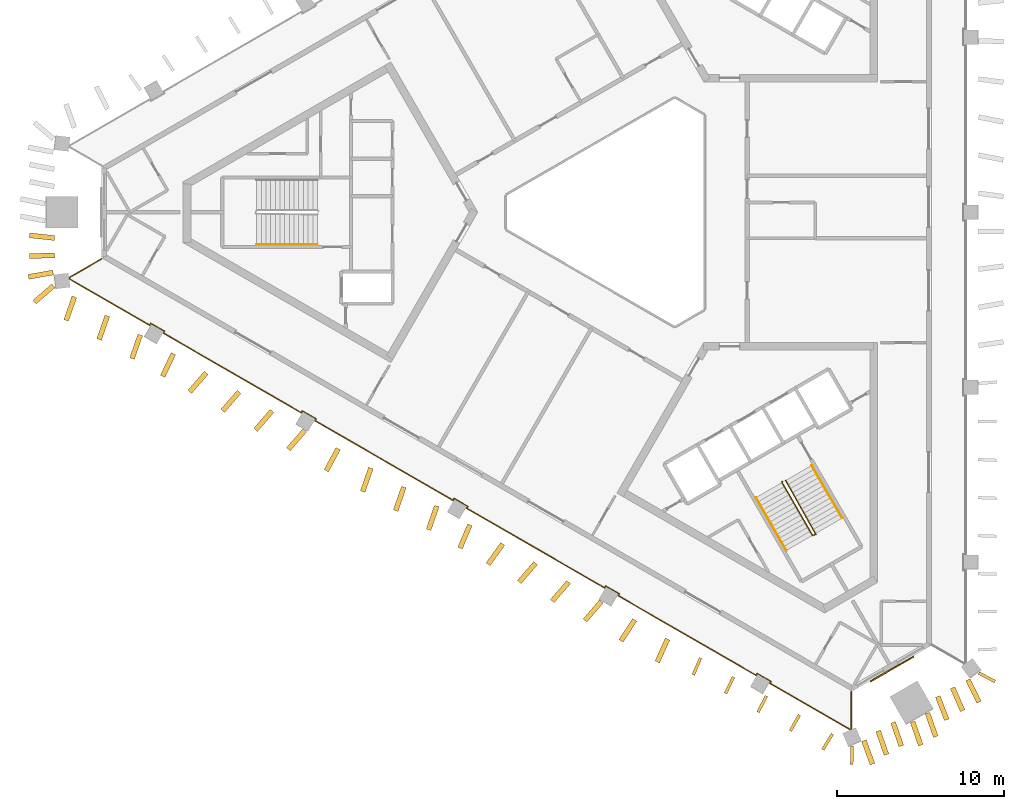
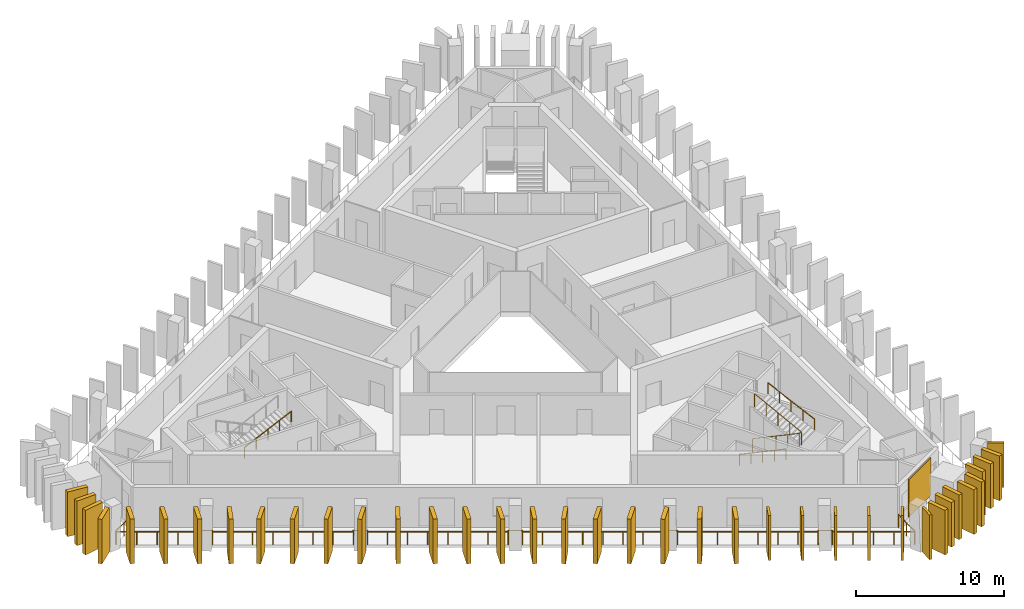
# One storey, part 7 of 9: 38 shading devices, 5 railings, 1 covering.
"""IFC4 building model written with IfcOpenShell, lengths in metres."""

from ifc_helpers import new_model, si_unit, direction, frame, frame_2d, origin, origin_2d, place, context, subcontext, project, spatial, rectangle, circle, extrude, material, layer, layer_set, type_object, element, save


model = new_model("IFC4")

# Units and contexts
model_context = context("Model", 3, precision=1e-05, world=origin(), true_north=direction((0.0, 1.0)))
body_context = subcontext(model_context, "Body", "Model", "MODEL_VIEW")
ifc_project = project(units=[si_unit("LENGTHUNIT", "METRE"), si_unit("AREAUNIT", "SQUARE_METRE"), si_unit("VOLUMEUNIT", "CUBIC_METRE"), si_unit("PLANEANGLEUNIT", "RADIAN"), si_unit("MASSUNIT", "GRAM", prefix="KILO")], contexts=[model_context])

# Site, building, storey
site_placement = place(None, origin())
site = spatial("IfcSite", under=ifc_project, at=site_placement, CompositionType="ELEMENT")
building_placement = place(site_placement, origin())
building = spatial("IfcBuilding", under=site, at=building_placement, Name="Jabali Bay Hotel Tower and Convention Centre", CompositionType="ELEMENT")
storey_placement = place(building_placement, frame((0.0, 0.0, 205.800048828125)))
storey = spatial("IfcBuildingStorey", under=building, at=storey_placement, Name="L50", CompositionType="ELEMENT", Elevation=205.800048828125)

# Railing
ifc_material_1 = material(Name="Glass", Category="glass")
railing_type_1 = type_object("IfcRailingType", Name="Loggia glass guard 1100", PredefinedType="BALUSTRADE", material=ifc_material_1)
railing_1_placement = place(storey_placement, frame((88.3271484375, 51.346923828125, 0.0)))
element("IfcRailing", 1, at=railing_1_placement, inside=storey, type_object=railing_type_1, Name="Loggia glass guard L50", PredefinedType="BALUSTRADE", context=body_context, shape_type="SweptSolid", body=[
    extrude(circle(Radius=0.02490234375, at=origin_2d()), frame((0.0, 0.0, 1.0751953125), z_axis=(0.0, -1.0, 0.0), x_axis=(0.991444861374, 0.0, 0.13052619222)), (0.0, 0.0, 1.0), 2.24755859375),
    extrude(circle(Radius=0.02490234375, at=origin_2d()), frame((0.0, -2.24755859375, 1.0751953125), z_axis=(-0.91970817197, -0.392602697916, 0.0), x_axis=(0.38924392741, -0.911839941063, 0.13052619222)), (0.0, 0.0, 1.0), 0.067138671875),
    extrude(circle(Radius=0.02490234375, at=origin_2d()), frame((-0.061767578125, -2.27392578125, 1.0751953125), z_axis=(-0.866021385706, 0.500006959451, 0.0), x_axis=(-0.495729330599, -0.858612452698, 0.13052619222)), (0.0, 0.0, 1.0), 5.54638671875),
    extrude(circle(Radius=0.02490234375, at=origin_2d()), frame((-4.864990234375, 0.499267578125, 1.0751953125), z_axis=(0.500342721131, 0.865827443207, 0.0), x_axis=(-0.858420169404, 0.496062219791, 0.13052619222)), (0.0, 0.0, 1.0), 0.125),
    extrude(circle(Radius=0.02490234375, at=origin_2d()), frame((-4.802490234375, 0.607421875, 1.0751953125), z_axis=(-0.865988727248, 0.500063520245, 0.0), x_axis=(-0.495785407507, -0.858580073638, 0.13052619222)), (0.0, 0.0, 1.0), 0.9501953125),
    extrude(circle(Radius=0.02490234375, at=origin_2d()), frame((-5.625244140625, 1.08251953125, 1.0751953125), z_axis=(-0.500342721131, -0.865827443207, 0.0), x_axis=(0.858420169404, -0.496062219791, 0.13052619222)), (0.0, 0.0, 1.0), 0.125),
    extrude(circle(Radius=0.02490234375, at=origin_2d()), frame((-5.687744140625, 0.974365234375, 1.0751953125), z_axis=(-0.866022362689, 0.500005267295, 0.0), x_axis=(-0.495727652919, -0.858613421323, 0.13052619222)), (0.0, 0.0, 1.0), 9.51513671875),
    extrude(circle(Radius=0.02490234375, at=origin_2d()), frame((-13.927978515625, 5.73193359375, 1.0751953125), z_axis=(0.500342721131, 0.865827443207, 0.0), x_axis=(-0.858420169404, 0.496062219791, 0.13052619222)), (0.0, 0.0, 1.0), 0.125),
    extrude(circle(Radius=0.02490234375, at=origin_2d()), frame((-13.865478515625, 5.840087890625, 1.0751953125), z_axis=(-0.865988727248, 0.500063520245, 0.0), x_axis=(-0.495785407507, -0.858580073638, 0.13052619222)), (0.0, 0.0, 1.0), 0.9501953125),
    extrude(circle(Radius=0.02490234375, at=origin_2d()), frame((-14.688232421875, 6.315185546875, 1.0751953125), z_axis=(-0.499497219344, -0.8663154898, 0.0), x_axis=(0.858904040691, -0.495223951389, 0.13052619222)), (0.0, 0.0, 1.0), 0.125244140625),
    extrude(circle(Radius=0.02490234375, at=origin_2d()), frame((-14.750732421875, 6.206787109375, 1.0751953125), z_axis=(-0.866017667059, 0.500013400162, 0.0), x_axis=(-0.495735716208, -0.858608765865, 0.13052619222)), (0.0, 0.0, 1.0), 9.515380859375),
    extrude(circle(Radius=0.02490234375, at=origin_2d()), frame((-22.9912109375, 10.964599609375, 1.0751953125), z_axis=(0.500342721131, 0.865827443207, 0.0), x_axis=(-0.858420169404, 0.496062219791, 0.13052619222)), (0.0, 0.0, 1.0), 0.125),
    extrude(circle(Radius=0.02490234375, at=origin_2d()), frame((-22.9287109375, 11.07275390625, 1.0751953125), z_axis=(-0.865988727248, 0.500063520245, 0.0), x_axis=(-0.495785407507, -0.858580073638, 0.13052619222)), (0.0, 0.0, 1.0), 0.9501953125),
    extrude(circle(Radius=0.02490234375, at=origin_2d()), frame((-23.75146484375, 11.5478515625, 1.0751953125), z_axis=(-0.499497219344, -0.8663154898, 0.0), x_axis=(0.858904040691, -0.495223951389, 0.13052619222)), (0.0, 0.0, 1.0), 0.125244140625),
    extrude(circle(Radius=0.02490234375, at=origin_2d()), frame((-23.81396484375, 11.439453125, 1.0751953125), z_axis=(-0.866022362689, 0.500005267295, 0.0), x_axis=(-0.495727652919, -0.858613421323, 0.13052619222)), (0.0, 0.0, 1.0), 9.51513671875),
    extrude(circle(Radius=0.02490234375, at=origin_2d()), frame((-32.05419921875, 16.197021484375, 1.0751953125), z_axis=(0.499497219344, 0.8663154898, 0.0), x_axis=(-0.858904040691, 0.495223951389, 0.13052619222)), (0.0, 0.0, 1.0), 0.125244140625),
    extrude(circle(Radius=0.02490234375, at=origin_2d()), frame((-31.99169921875, 16.305419921875, 1.0751953125), z_axis=(-0.866100000774, 0.49987077196, 0.0), x_axis=(-0.495594308211, -0.858690395203, 0.13052619222)), (0.0, 0.0, 1.0), 0.949951171875),
    extrude(circle(Radius=0.02490234375, at=origin_2d()), frame((-32.814453125, 16.7802734375, 1.0751953125), z_axis=(-0.500342721131, -0.865827443207, 0.0), x_axis=(0.858420169404, -0.496062219791, 0.13052619222)), (0.0, 0.0, 1.0), 0.125),
    extrude(circle(Radius=0.02490234375, at=origin_2d()), frame((-32.876953125, 16.672119140625, 1.0751953125), z_axis=(-0.866028777211, 0.499994157009, 0.0), x_axis=(-0.495716637683, -0.858619780968, 0.13052619222)), (0.0, 0.0, 1.0), 9.51513671875),
    extrude(circle(Radius=0.02490234375, at=origin_2d()), frame((-41.117431640625, 21.4296875, 1.0751953125), z_axis=(0.500342721131, 0.865827443207, 0.0), x_axis=(-0.858420169404, 0.496062219791, 0.13052619222)), (0.0, 0.0, 1.0), 0.125),
    extrude(circle(Radius=0.02490234375, at=origin_2d()), frame((-41.054931640625, 21.537841796875, 1.0751953125), z_axis=(-0.865988727248, 0.500063520245, 0.0), x_axis=(-0.495785407507, -0.858580073638, 0.13052619222)), (0.0, 0.0, 1.0), 0.9501953125),
    extrude(circle(Radius=0.02490234375, at=origin_2d()), frame((-41.877685546875, 22.012939453125, 1.0751953125), z_axis=(-0.500342721131, -0.865827443207, 0.0), x_axis=(0.858420169404, -0.496062219791, 0.13052619222)), (0.0, 0.0, 1.0), 0.125),
    extrude(circle(Radius=0.02490234375, at=origin_2d()), frame((-41.940185546875, 21.90478515625, 1.0751953125), z_axis=(-0.866040446274, 0.499973944738, 0.0), x_axis=(-0.495696598332, -0.8586313502, 0.13052619222)), (0.0, 0.0, 1.0), 5.546142578125),
    extrude(circle(Radius=0.02490234375, at=origin_2d()), frame((-46.743408203125, 24.677734375, 1.0751953125), z_axis=(-0.120005554105, 0.99277322032, 0.0), x_axis=(-0.984279907796, -0.118978889953, 0.13052619222)), (0.0, 0.0, 1.0), 0.067138671875),
    extrude(circle(Radius=0.02490234375, at=origin_2d()), frame((-46.75146484375, 24.744384765625, 1.0751953125), z_axis=(0.866008297462, 0.50002962785, 0.0), x_axis=(-0.495751805066, 0.858599476426, 0.13052619222)), (0.0, 0.0, 1.0), 2.247314453125),
    extrude(circle(Radius=0.02001953125, at=origin_2d()), origin(), (0.0, 0.0, 1.0), 1.050048828125),
    extrude(circle(Radius=0.02001953125, at=origin_2d()), frame((0.0, -1.123779296875, 0.0)), (0.0, 0.0, 1.0), 1.050048828125),
    extrude(circle(Radius=0.02001953125, at=origin_2d()), frame((0.0, -2.24755859375, 0.0)), (0.0, 0.0, 1.0), 1.050048828125),
    extrude(circle(Radius=0.02001953125, at=origin_2d()), frame((-0.061767578125, -2.27392578125, 0.0)), (0.0, 0.0, 1.0), 1.050048828125),
    extrude(circle(Radius=0.02001953125, at=origin_2d()), frame((-1.2626953125, -1.58056640625, 0.0)), (0.0, 0.0, 1.0), 1.050048828125),
    extrude(circle(Radius=0.02001953125, at=origin_2d()), frame((-2.46337890625, -0.88720703125, 0.0)), (0.0, 0.0, 1.0), 1.050048828125),
    extrude(circle(Radius=0.02001953125, at=origin_2d()), frame((-3.6640625, -0.194091796875, 0.0)), (0.0, 0.0, 1.0), 1.050048828125),
    extrude(circle(Radius=0.02001953125, at=origin_2d()), frame((-4.864990234375, 0.499267578125, 0.0)), (0.0, 0.0, 1.0), 1.050048828125),
    extrude(circle(Radius=0.02001953125, at=origin_2d()), frame((-4.802490234375, 0.607421875, 0.0)), (0.0, 0.0, 1.0), 1.050048828125),
    extrude(circle(Radius=0.02001953125, at=origin_2d()), frame((-5.625244140625, 1.08251953125, 0.0)), (0.0, 0.0, 1.0), 1.050048828125),
    extrude(circle(Radius=0.02001953125, at=origin_2d()), frame((-5.687744140625, 0.974365234375, 0.0)), (0.0, 0.0, 1.0), 1.050048828125),
    extrude(circle(Radius=0.02001953125, at=origin_2d()), frame((-6.864990234375, 1.654052734375, 0.0)), (0.0, 0.0, 1.0), 1.050048828125),
    extrude(circle(Radius=0.02001953125, at=origin_2d()), frame((-8.0419921875, 2.333740234375, 0.0)), (0.0, 0.0, 1.0), 1.050048828125),
    extrude(circle(Radius=0.02001953125, at=origin_2d()), frame((-9.21923828125, 3.013427734375, 0.0)), (0.0, 0.0, 1.0), 1.050048828125),
    extrude(circle(Radius=0.02001953125, at=origin_2d()), frame((-10.396484375, 3.69287109375, 0.0)), (0.0, 0.0, 1.0), 1.050048828125),
    extrude(circle(Radius=0.02001953125, at=origin_2d()), frame((-11.57373046875, 4.37255859375, 0.0)), (0.0, 0.0, 1.0), 1.050048828125),
    extrude(circle(Radius=0.02001953125, at=origin_2d()), frame((-12.750732421875, 5.05224609375, 0.0)), (0.0, 0.0, 1.0), 1.050048828125),
    extrude(circle(Radius=0.02001953125, at=origin_2d()), frame((-13.927978515625, 5.73193359375, 0.0)), (0.0, 0.0, 1.0), 1.050048828125),
    extrude(circle(Radius=0.02001953125, at=origin_2d()), frame((-13.865478515625, 5.840087890625, 0.0)), (0.0, 0.0, 1.0), 1.050048828125),
    extrude(circle(Radius=0.02001953125, at=origin_2d()), frame((-14.688232421875, 6.315185546875, 0.0)), (0.0, 0.0, 1.0), 1.050048828125),
    extrude(circle(Radius=0.02001953125, at=origin_2d()), frame((-14.750732421875, 6.206787109375, 0.0)), (0.0, 0.0, 1.0), 1.050048828125),
    extrude(circle(Radius=0.02001953125, at=origin_2d()), frame((-15.927978515625, 6.886474609375, 0.0)), (0.0, 0.0, 1.0), 1.050048828125),
    extrude(circle(Radius=0.02001953125, at=origin_2d()), frame((-17.105224609375, 7.566162109375, 0.0)), (0.0, 0.0, 1.0), 1.050048828125),
    extrude(circle(Radius=0.02001953125, at=origin_2d()), frame((-18.282470703125, 8.245849609375, 0.0)), (0.0, 0.0, 1.0), 1.050048828125),
    extrude(circle(Radius=0.02001953125, at=origin_2d()), frame((-19.45947265625, 8.925537109375, 0.0)), (0.0, 0.0, 1.0), 1.050048828125),
    extrude(circle(Radius=0.02001953125, at=origin_2d()), frame((-20.63671875, 9.605224609375, 0.0)), (0.0, 0.0, 1.0), 1.050048828125),
    extrude(circle(Radius=0.02001953125, at=origin_2d()), frame((-21.81396484375, 10.284912109375, 0.0)), (0.0, 0.0, 1.0), 1.050048828125),
    extrude(circle(Radius=0.02001953125, at=origin_2d()), frame((-22.9912109375, 10.964599609375, 0.0)), (0.0, 0.0, 1.0), 1.050048828125),
    extrude(circle(Radius=0.02001953125, at=origin_2d()), frame((-22.9287109375, 11.07275390625, 0.0)), (0.0, 0.0, 1.0), 1.050048828125),
    extrude(circle(Radius=0.02001953125, at=origin_2d()), frame((-23.75146484375, 11.5478515625, 0.0)), (0.0, 0.0, 1.0), 1.050048828125),
    extrude(circle(Radius=0.02001953125, at=origin_2d()), frame((-23.81396484375, 11.439453125, 0.0)), (0.0, 0.0, 1.0), 1.050048828125),
    extrude(circle(Radius=0.02001953125, at=origin_2d()), frame((-24.9912109375, 12.119140625, 0.0)), (0.0, 0.0, 1.0), 1.050048828125),
    extrude(circle(Radius=0.02001953125, at=origin_2d()), frame((-26.168212890625, 12.798828125, 0.0)), (0.0, 0.0, 1.0), 1.050048828125),
    extrude(circle(Radius=0.02001953125, at=origin_2d()), frame((-27.345458984375, 13.478515625, 0.0)), (0.0, 0.0, 1.0), 1.050048828125),
    extrude(circle(Radius=0.02001953125, at=origin_2d()), frame((-28.522705078125, 14.157958984375, 0.0)), (0.0, 0.0, 1.0), 1.050048828125),
    extrude(circle(Radius=0.02001953125, at=origin_2d()), frame((-29.699951171875, 14.837646484375, 0.0)), (0.0, 0.0, 1.0), 1.050048828125),
    extrude(circle(Radius=0.02001953125, at=origin_2d()), frame((-30.876953125, 15.517333984375, 0.0)), (0.0, 0.0, 1.0), 1.050048828125),
    extrude(circle(Radius=0.02001953125, at=origin_2d()), frame((-32.05419921875, 16.197021484375, 0.0)), (0.0, 0.0, 1.0), 1.050048828125),
    extrude(circle(Radius=0.02001953125, at=origin_2d()), frame((-31.99169921875, 16.305419921875, 0.0)), (0.0, 0.0, 1.0), 1.050048828125),
    extrude(circle(Radius=0.02001953125, at=origin_2d()), frame((-32.814453125, 16.7802734375, 0.0)), (0.0, 0.0, 1.0), 1.050048828125),
    extrude(circle(Radius=0.02001953125, at=origin_2d()), frame((-32.876953125, 16.672119140625, 0.0)), (0.0, 0.0, 1.0), 1.050048828125),
    extrude(circle(Radius=0.02001953125, at=origin_2d()), frame((-34.05419921875, 17.351806640625, 0.0)), (0.0, 0.0, 1.0), 1.050048828125),
    extrude(circle(Radius=0.02001953125, at=origin_2d()), frame((-35.2314453125, 18.031494140625, 0.0)), (0.0, 0.0, 1.0), 1.050048828125),
    extrude(circle(Radius=0.02001953125, at=origin_2d()), frame((-36.40869140625, 18.711181640625, 0.0)), (0.0, 0.0, 1.0), 1.050048828125),
    extrude(circle(Radius=0.02001953125, at=origin_2d()), frame((-37.585693359375, 19.390625, 0.0)), (0.0, 0.0, 1.0), 1.050048828125),
    extrude(circle(Radius=0.02001953125, at=origin_2d()), frame((-38.762939453125, 20.0703125, 0.0)), (0.0, 0.0, 1.0), 1.050048828125),
    extrude(circle(Radius=0.02001953125, at=origin_2d()), frame((-39.940185546875, 20.75, 0.0)), (0.0, 0.0, 1.0), 1.050048828125),
    extrude(circle(Radius=0.02001953125, at=origin_2d()), frame((-41.117431640625, 21.4296875, 0.0)), (0.0, 0.0, 1.0), 1.050048828125),
    extrude(circle(Radius=0.02001953125, at=origin_2d()), frame((-41.054931640625, 21.537841796875, 0.0)), (0.0, 0.0, 1.0), 1.050048828125),
    extrude(circle(Radius=0.02001953125, at=origin_2d()), frame((-41.877685546875, 22.012939453125, 0.0)), (0.0, 0.0, 1.0), 1.050048828125),
    extrude(circle(Radius=0.02001953125, at=origin_2d()), frame((-41.940185546875, 21.90478515625, 0.0)), (0.0, 0.0, 1.0), 1.050048828125),
    extrude(circle(Radius=0.02001953125, at=origin_2d()), frame((-43.14111328125, 22.59814453125, 0.0)), (0.0, 0.0, 1.0), 1.050048828125),
    extrude(circle(Radius=0.02001953125, at=origin_2d()), frame((-44.341796875, 23.291259765625, 0.0)), (0.0, 0.0, 1.0), 1.050048828125),
    extrude(circle(Radius=0.02001953125, at=origin_2d()), frame((-45.54248046875, 23.984375, 0.0)), (0.0, 0.0, 1.0), 1.050048828125),
    extrude(circle(Radius=0.02001953125, at=origin_2d()), frame((-46.743408203125, 24.677734375, 0.0)), (0.0, 0.0, 1.0), 1.050048828125),
    extrude(circle(Radius=0.02001953125, at=origin_2d()), frame((-46.75146484375, 24.744384765625, 0.0)), (0.0, 0.0, 1.0), 1.050048828125),
    extrude(circle(Radius=0.02001953125, at=origin_2d()), frame((-45.7783203125, 25.30615234375, 0.0)), (0.0, 0.0, 1.0), 1.050048828125),
    extrude(circle(Radius=0.02001953125, at=origin_2d()), frame((-44.80517578125, 25.8681640625, 0.0)), (0.0, 0.0, 1.0), 1.050048828125),
])

# Shading devices
ifc_material_2 = material(Name="Precast concrete C60", Category="concrete")
ifc_layer_1 = layer(ifc_material_2, 0.179931640625)
ifc_layer_set_1 = layer_set([ifc_layer_1], Name="Precast concrete C60")
shading_device_type_1 = type_object("IfcShadingDeviceType", Name="Precast fin 3680 x 1100", PredefinedType="USERDEFINED", material=ifc_layer_set_1)
for number, where, z_axis, x_axis, name in (
    (2, (79.3115234375, 53.3642578125, 0.010009765625), (0.0, 0.0, 1.0), (-0.392794111028, -0.919626438475, 0.0), "Fin L50 083"),
    (3, (81.282470703125, 52.231201171875, 0.010009765625), (0.0, 0.0, 1.0), (-0.435903173496, -0.899993568497, 0.0), "Fin L50 084"),
    (4, (83.2529296875, 51.0966796875, 0.010009765625), (0.0, 0.0, 1.0), (-0.462065346177, -0.886845880558, 0.0), "Fin L50 085"),
):
    element("IfcShadingDevice", number, at=place(storey_placement, frame(where, z_axis=z_axis, x_axis=x_axis)), inside=storey, type_object=shading_device_type_1, Name=name, ObjectType="FIN", PredefinedType="USERDEFINED", context=body_context, shape_type="SweptSolid", body=[
        extrude(rectangle(XDim=1.10009765625, YDim=0.179931640625, at=frame_2d((0.550048828125, 0.0))), origin(), (0.0, 0.0, 1.0), 3.679931640625),
    ])
for number, where, z_axis, x_axis, name in (
    (5, (85.223388671875, 49.962646484375, 0.010009765625), (0.0, 0.0, 1.0), (-0.494081861243, -0.869415386562, 0.0), "Fin L50 086"),
    (6, (87.191650390625, 48.82470703125, 0.010009765625), (0.0, 0.0, 1.0), (-0.518537835537, -0.855054684284, 0.0), "Fin L50 087"),
):
    element("IfcShadingDevice", number, at=place(storey_placement, frame(where, z_axis=z_axis, x_axis=x_axis)), inside=storey, type_object=shading_device_type_1, Name=name, ObjectType="FIN", PredefinedType="USERDEFINED", context=body_context, shape_type="SweptSolid", body=[
        extrude(rectangle(XDim=1.099853515625, YDim=0.179931640625, at=frame_2d((0.5498046875, 0.0))), origin(), (0.0, 0.0, 1.0), 3.679931640625),
    ])
shading_device_1_placement = place(storey_placement, frame((95.936767578125, 52.465576171875, 0.010009765625), z_axis=(0.0, 0.0, 1.0), x_axis=(0.884402565766, -0.466724867204, 0.0)))
element("IfcShadingDevice", 7, at=shading_device_1_placement, inside=storey, type_object=shading_device_type_1, Name="Fin L50 096", ObjectType="FIN", PredefinedType="USERDEFINED", context=body_context, shape_type="SweptSolid", body=[
    extrude(rectangle(XDim=1.10009765625, YDim=0.179931640625, at=frame_2d((0.550048828125, 0.0))), origin(), (0.0, 0.0, 1.0), 3.679931640625),
])
shading_device_2_placement = place(storey_placement, frame((88.377197265625, 48.1015625, 0.010009765625), z_axis=(0.0, 0.0, 1.0), x_axis=(-0.031962342134, -0.99948907382, 0.0)))
element("IfcShadingDevice", 8, at=shading_device_2_placement, inside=storey, type_object=shading_device_type_1, Name="Fin L50 101", ObjectType="FIN", PredefinedType="USERDEFINED", context=body_context, shape_type="SweptSolid", body=[
    extrude(rectangle(XDim=1.099853515625, YDim=0.179931640625, at=frame_2d((0.5498046875, 0.0))), origin(), (0.0, 0.0, 1.0), 3.679931640625),
])
ifc_layer_2 = layer(ifc_material_2, 0.300048828125)
ifc_layer_set_2 = layer_set([ifc_layer_2], Name="Precast concrete C60")
shading_device_type_2 = type_object("IfcShadingDeviceType", Name="Precast fin 3680 x 1500", PredefinedType="USERDEFINED", material=ifc_layer_set_2)
for number, where, z_axis, x_axis, name in (
    (9, (40.705810546875, 78.457763671875, 0.010009765625), (0.0, 0.0, 1.0), (-0.994177865819, 0.107751432084, 0.0), "Fin L50 061"),
    (10, (40.716552734375, 77.429443359375, 0.010009765625), (0.0, 0.0, 1.0), (-0.999329249242, -0.036620371511, 0.0), "Fin L50 062"),
    (11, (40.623291015625, 76.4013671875, 0.010009765625), (0.0, 0.0, 1.0), (-0.984427575508, -0.175790638484, 0.0), "Fin L50 063"),
    (12, (41.892333984375, 74.947998046875, 0.010009765625), (0.0, 0.0, 1.0), (-0.328261808325, -0.944586780129, 0.0), "Fin L50 064"),
    (13, (43.861328125, 73.811279296875, 0.010009765625), (0.0, 0.0, 1.0), (-0.328261808325, -0.944586780129, 0.0), "Fin L50 065"),
    (14, (45.830322265625, 72.67431640625, 0.010009765625), (0.0, 0.0, 1.0), (-0.328312279036, -0.94456923909, 0.0), "Fin L50 066"),
):
    element("IfcShadingDevice", number, at=place(storey_placement, frame(where, z_axis=z_axis, x_axis=x_axis)), inside=storey, type_object=shading_device_type_2, Name=name, ObjectType="FIN", PredefinedType="USERDEFINED", context=body_context, shape_type="SweptSolid", body=[
        extrude(rectangle(XDim=1.5, YDim=0.300048828125, at=frame_2d((0.75, 0.0))), origin(), (0.0, 0.0, 1.0), 3.679931640625),
    ])
shading_device_3_placement = place(storey_placement, frame((47.806884765625, 71.551025390625, 0.010009765625), z_axis=(0.0, 0.0, 1.0), x_axis=(-0.423954307778, -0.905683578805, 0.0)))
element("IfcShadingDevice", 15, at=shading_device_3_placement, inside=storey, type_object=shading_device_type_2, Name="Fin L50 067", ObjectType="FIN", PredefinedType="USERDEFINED", context=body_context, shape_type="SweptSolid", body=[
    extrude(rectangle(XDim=1.500244140625, YDim=0.300048828125, at=frame_2d((0.75, 0.0))), origin(), (0.0, 0.0, 1.0), 3.679931640625),
])
shading_device_4_placement = place(storey_placement, frame((49.768310546875, 70.40087890625, 0.010009765625), z_axis=(0.0, 0.0, 1.0), x_axis=(-0.65397575459, -0.756515507051, 0.0)))
element("IfcShadingDevice", 16, at=shading_device_4_placement, inside=storey, type_object=shading_device_type_2, Name="Fin L50 068", ObjectType="FIN", PredefinedType="USERDEFINED", context=body_context, shape_type="SweptSolid", body=[
    extrude(rectangle(XDim=1.5, YDim=0.300048828125, at=frame_2d((0.75, 0.0))), origin(), (0.0, 0.0, 1.0), 3.679931640625),
])
shading_device_5_placement = place(storey_placement, frame((51.7373046875, 69.26416015625, 0.010009765625), z_axis=(0.0, 0.0, 1.0), x_axis=(-0.653895235714, -0.756585104737, 0.0)))
element("IfcShadingDevice", 17, at=shading_device_5_placement, inside=storey, type_object=shading_device_type_2, Name="Fin L50 069", ObjectType="FIN", PredefinedType="USERDEFINED", context=body_context, shape_type="SweptSolid", body=[
    extrude(rectangle(XDim=1.500244140625, YDim=0.300048828125, at=frame_2d((0.75, 0.0))), origin(), (0.0, 0.0, 1.0), 3.679931640625),
])
for number, where, z_axis, x_axis, name in (
    (18, (53.706298828125, 68.127197265625, 0.010009765625), (0.0, 0.0, 1.0), (-0.65397575459, -0.756515507051, 0.0), "Fin L50 070"),
    (19, (55.66259765625, 66.968994140625, 0.010009765625), (0.0, 0.0, 1.0), (-0.653802064203, -0.756665620234, 0.0), "Fin L50 071"),
    (20, (57.656005859375, 65.874267578125, 0.010009765625), (0.0, 0.0, 1.0), (-0.473128977261, -0.880993173002, 0.0), "Fin L50 072"),
    (21, (59.613037109375, 64.717041015625, 0.010009765625), (0.0, 0.0, 1.0), (-0.328116586135, -0.944637235082, 0.0), "Fin L50 073"),
    (22, (61.58203125, 63.580078125, 0.010009765625), (0.0, 0.0, 1.0), (-0.328312279036, -0.94456923909, 0.0), "Fin L50 074"),
    (23, (63.551025390625, 62.443359375, 0.010009765625), (0.0, 0.0, 1.0), (-0.328261808325, -0.944586780129, 0.0), "Fin L50 075"),
):
    element("IfcShadingDevice", number, at=place(storey_placement, frame(where, z_axis=z_axis, x_axis=x_axis)), inside=storey, type_object=shading_device_type_2, Name=name, ObjectType="FIN", PredefinedType="USERDEFINED", context=body_context, shape_type="SweptSolid", body=[
        extrude(rectangle(XDim=1.5, YDim=0.300048828125, at=frame_2d((0.75, 0.0))), origin(), (0.0, 0.0, 1.0), 3.679931640625),
    ])
shading_device_6_placement = place(storey_placement, frame((65.52490234375, 61.31494140625, 0.010009765625), z_axis=(0.0, 0.0, 1.0), x_axis=(-0.388944413651, -0.921261224132, 0.0)))
element("IfcShadingDevice", 24, at=shading_device_6_placement, inside=storey, type_object=shading_device_type_2, Name="Fin L50 076", ObjectType="FIN", PredefinedType="USERDEFINED", context=body_context, shape_type="SweptSolid", body=[
    extrude(rectangle(XDim=1.500244140625, YDim=0.300048828125, at=frame_2d((0.75, 0.0))), origin(), (0.0, 0.0, 1.0), 3.679931640625),
])
for number, where, z_axis, x_axis, name in (
    (25, (67.495361328125, 60.180908203125, 0.010009765625), (0.0, 0.0, 1.0), (-0.586583444846, -0.809888796214, 0.0), "Fin L50 077"),
    (26, (69.4580078125, 59.032958984375, 0.010009765625), (0.0, 0.0, 1.0), (-0.65397575459, -0.756515507051, 0.0), "Fin L50 078"),
    (27, (71.427001953125, 57.896240234375, 0.010009765625), (0.0, 0.0, 1.0), (-0.653802064203, -0.756665620234, 0.0), "Fin L50 079"),
    (28, (73.383544921875, 56.738037109375, 0.010009765625), (0.0, 0.0, 1.0), (-0.652839805106, -0.757495999243, 0.0), "Fin L50 080"),
    (29, (75.375, 55.640380859375, 0.010009765625), (0.0, 0.0, 1.0), (-0.5439867233, -0.839093823642, 0.0), "Fin L50 081"),
    (30, (77.33984375, 54.496337890625, 0.010009765625), (0.0, 0.0, 1.0), (-0.404461510471, -0.914555021061, 0.0), "Fin L50 082"),
    (31, (89.071533203125, 48.429931640625, 0.010009765625), (0.0, 0.0, 1.0), (0.342278800138, -0.939598437087, 0.0), "Fin L50 088"),
    (32, (89.927001953125, 49.004638671875, 0.010009765625), (0.0, 0.0, 1.0), (0.328312279036, -0.94456923909, 0.0), "Fin L50 089"),
    (33, (90.8173828125, 49.518798828125, 0.010009765625), (0.0, 0.0, 1.0), (0.328261808325, -0.944586780129, 0.0), "Fin L50 090"),
    (34, (91.982666015625, 49.55712890625, 0.010009765625), (0.0, 0.0, 1.0), (0.328116586135, -0.944637235082, 0.0), "Fin L50 091"),
    (35, (92.872802734375, 50.071533203125, 0.010009765625), (0.0, 0.0, 1.0), (0.330741906378, -0.943721246643, 0.0), "Fin L50 092"),
    (36, (93.486083984375, 51.065673828125, 0.010009765625), (0.0, 0.0, 1.0), (0.361322836627, -0.932440779745, 0.0), "Fin L50 093"),
    (37, (94.373291015625, 51.585205078125, 0.010009765625), (0.0, 0.0, 1.0), (0.401194474062, -0.915992900618, 0.0), "Fin L50 094"),
    (38, (95.28759765625, 52.05810546875, 0.010009765625), (0.0, 0.0, 1.0), (0.446757828194, -0.894654929538, 0.0), "Fin L50 095"),
):
    element("IfcShadingDevice", number, at=place(storey_placement, frame(where, z_axis=z_axis, x_axis=x_axis)), inside=storey, type_object=shading_device_type_2, Name=name, ObjectType="FIN", PredefinedType="USERDEFINED", context=body_context, shape_type="SweptSolid", body=[
        extrude(rectangle(XDim=1.5, YDim=0.300048828125, at=frame_2d((0.75, 0.0))), origin(), (0.0, 0.0, 1.0), 3.679931640625),
    ])
shading_device_7_placement = place(storey_placement, frame((40.643310546875, 75.61083984375, 0.010009765625), z_axis=(0.0, 0.0, 1.0), x_axis=(-0.756596034973, -0.653882588745, 0.0)))
element("IfcShadingDevice", 39, at=shading_device_7_placement, inside=storey, type_object=shading_device_type_2, Name="Fin L50 100", ObjectType="FIN", PredefinedType="USERDEFINED", context=body_context, shape_type="SweptSolid", body=[
    extrude(rectangle(XDim=1.499755859375, YDim=0.300048828125, at=frame_2d((0.75, 0.0))), origin(), (0.0, 0.0, 1.0), 3.679931640625),
])

# Covering
ifc_material_3 = material(Name="Precast concrete C40/50", Category="concrete")
ifc_layer_3 = layer(ifc_material_3, 0.080078125)
ifc_layer_set_3 = layer_set([ifc_layer_3], Name="Precast concrete C40/50")
covering_type = type_object("IfcCoveringType", Name="Relief panel 3000 x 3100", PredefinedType="CLADDING", material=ifc_layer_set_3)
covering_placement = place(storey_placement, frame((90.759033203125, 52.70458984375, 0.099853515625), z_axis=(0.0, 0.0, 1.0), x_axis=(-0.866025411857, -0.499999986019, 0.0)))
element("IfcCovering", 40, at=covering_placement, inside=storey, type_object=covering_type, Name="Relief panel L50", PredefinedType="CLADDING", context=body_context, shape_type="SweptSolid", body=[
    extrude(rectangle(XDim=3.0, YDim=0.080078125, at=origin_2d()), origin(), (0.0, 0.0, 1.0), 3.10009765625),
])

# Railings
ifc_material_4 = material(Name="Steel Q355B", Category="steel")
railing_type_2 = type_object("IfcRailingType", Name="Stair guard 1100", PredefinedType="GUARDRAIL", material=ifc_material_4)
railing_2_placement = place(storey_placement, frame((84.199951171875, 63.9150390625, 0.0)))
element("IfcRailing", 41, at=railing_2_placement, inside=storey, type_object=railing_type_2, Name="L50 ST3 stair guard 1", PredefinedType="GUARDRAIL", context=body_context, shape_type="SweptSolid", body=[
    extrude(circle(Radius=0.02392578125, at=origin_2d()), frame((0.0, 0.0, 1.076171875), z_axis=(-0.122196845461, -0.456201556387, 0.881446578591), x_axis=(0.965948051503, -0.258736085224, 0.0)), (0.0, 0.0, 1.0), 0.14990234375),
    extrude(circle(Radius=0.02392578125, at=origin_2d()), frame((-0.018310546875, -0.068359375, 1.2080078125), z_axis=(0.452190331055, -0.783190014029, 0.426775475427), x_axis=(0.866018046521, 0.500012742938, 0.0)), (0.0, 0.0, 1.0), 4.02490234375),
    extrude(circle(Radius=0.02392578125, at=origin_2d()), frame((1.8017578125, -3.220703125, 2.92578125), z_axis=(0.96121063429, 0.275815366736, 0.0), x_axis=(-0.275815366736, 0.96121063429, 0.0)), (0.0, 0.0, 1.0), 0.206298828125),
    extrude(circle(Radius=0.02392578125, at=origin_2d()), frame((2.0, -3.163818359375, 2.92578125), z_axis=(-0.436470229993, 0.780146179382, 0.448180406895), x_axis=(-0.872702246529, -0.488252792008, 0.0)), (0.0, 0.0, 1.0), 4.1279296875),
    extrude(circle(Radius=0.02099609375, at=origin_2d()), origin(), (0.0, 0.0, 1.0), 1.052001953125),
    extrude(circle(Radius=0.02099609375, at=origin_2d()), frame((-0.018310546875, -0.068359375, 0.132080078125)), (0.0, 0.0, 1.0), 1.052001953125),
    extrude(circle(Radius=0.02099609375, at=origin_2d()), frame((0.436767578125, -0.8564453125, 0.5615234375)), (0.0, 0.0, 1.0), 1.052001953125),
    extrude(circle(Radius=0.02099609375, at=origin_2d()), frame((0.8916015625, -1.64453125, 0.990966796875)), (0.0, 0.0, 1.0), 1.052001953125),
    extrude(circle(Radius=0.02099609375, at=origin_2d()), frame((1.3466796875, -2.4326171875, 1.42041015625)), (0.0, 0.0, 1.0), 1.052001953125),
    extrude(circle(Radius=0.02099609375, at=origin_2d()), frame((1.8017578125, -3.220703125, 1.849853515625)), (0.0, 0.0, 1.0), 1.052001953125),
    extrude(circle(Radius=0.02099609375, at=origin_2d()), frame((2.0, -3.163818359375, 1.849853515625)), (0.0, 0.0, 1.0), 1.052001953125),
    extrude(circle(Radius=0.02099609375, at=origin_2d()), frame((1.549560546875, -2.358642578125, 2.3125)), (0.0, 0.0, 1.0), 1.052001953125),
    extrude(circle(Radius=0.02099609375, at=origin_2d()), frame((1.09912109375, -1.5537109375, 2.77490234375)), (0.0, 0.0, 1.0), 1.052001953125),
    extrude(circle(Radius=0.02099609375, at=origin_2d()), frame((0.648681640625, -0.74853515625, 3.2373046875)), (0.0, 0.0, 1.0), 1.052001953125),
    extrude(circle(Radius=0.02099609375, at=origin_2d()), frame((0.1982421875, 0.056640625, 3.699951171875)), (0.0, 0.0, 1.0), 1.052001953125),
])
railing_type_3 = type_object("IfcRailingType", Name="Stair handrail 900", PredefinedType="HANDRAIL", material=ifc_material_4)
railing_3_placement = place(storey_placement, frame((52.780029296875, 78.074951171875, 1.982177734375)))
element("IfcRailing", 42, at=railing_3_placement, inside=storey, type_object=railing_type_3, Name="L50 ST1 stair handrail 2", PredefinedType="HANDRAIL", context=body_context, shape_type="SweptSolid", body=[
    extrude(circle(Radius=0.02392578125, at=origin_2d()), frame((0.0, 0.0, 0.8759765625), z_axis=(0.904350763662, 0.0, 0.426789990819), x_axis=(0.0, 1.0, 0.0)), (0.0, 0.0, 1.0), 4.02490234375),
    extrude(circle(Radius=0.02099609375, at=origin_2d()), origin(), (0.0, 0.0, 1.0), 0.851806640625),
    extrude(circle(Radius=0.02099609375, at=origin_2d()), frame((0.909912109375, 0.0, 0.429443359375)), (0.0, 0.0, 1.0), 0.851806640625),
    extrude(circle(Radius=0.02099609375, at=origin_2d()), frame((1.81982421875, 0.0, 0.85888671875)), (0.0, 0.0, 1.0), 0.851806640625),
    extrude(circle(Radius=0.02099609375, at=origin_2d()), frame((2.72998046875, 0.0, 1.288330078125)), (0.0, 0.0, 1.0), 0.851806640625),
    extrude(circle(Radius=0.02099609375, at=origin_2d()), frame((3.639892578125, 0.0, 1.7177734375)), (0.0, 0.0, 1.0), 0.851806640625),
])
railing_4_placement = place(storey_placement, frame((82.622802734375, 62.94677734375, 0.132080078125)))
element("IfcRailing", 43, at=railing_4_placement, inside=storey, type_object=railing_type_3, Name="L50 ST3 stair handrail 1", PredefinedType="HANDRAIL", context=body_context, shape_type="SweptSolid", body=[
    extrude(circle(Radius=0.02392578125, at=origin_2d()), frame((0.0, 0.0, 0.8759765625), z_axis=(0.452190331055, -0.783190014029, 0.426775475427), x_axis=(0.866018046521, 0.500012742938, 0.0)), (0.0, 0.0, 1.0), 4.02490234375),
    extrude(circle(Radius=0.02099609375, at=origin_2d()), origin(), (0.0, 0.0, 1.0), 0.851806640625),
    extrude(circle(Radius=0.02099609375, at=origin_2d()), frame((0.455078125, -0.7880859375, 0.429443359375)), (0.0, 0.0, 1.0), 0.851806640625),
    extrude(circle(Radius=0.02099609375, at=origin_2d()), frame((0.91015625, -1.576171875, 0.85888671875)), (0.0, 0.0, 1.0), 0.851806640625),
    extrude(circle(Radius=0.02099609375, at=origin_2d()), frame((1.364990234375, -2.3642578125, 1.288330078125)), (0.0, 0.0, 1.0), 0.851806640625),
    extrude(circle(Radius=0.02099609375, at=origin_2d()), frame((1.820068359375, -3.15234375, 1.7177734375)), (0.0, 0.0, 1.0), 0.851806640625),
])
railing_5_placement = place(storey_placement, frame((87.777099609375, 61.719482421875, 1.982177734375)))
element("IfcRailing", 44, at=railing_5_placement, inside=storey, type_object=railing_type_3, Name="L50 ST3 stair handrail 2", PredefinedType="HANDRAIL", context=body_context, shape_type="SweptSolid", body=[
    extrude(circle(Radius=0.02392578125, at=origin_2d()), frame((0.0, 0.0, 0.8759765625), z_axis=(-0.452190331055, 0.783190014029, 0.426775475427), x_axis=(-0.866018046521, -0.500012742938, 0.0)), (0.0, 0.0, 1.0), 4.02490234375),
    extrude(circle(Radius=0.02099609375, at=origin_2d()), origin(), (0.0, 0.0, 1.0), 0.851806640625),
    extrude(circle(Radius=0.02099609375, at=origin_2d()), frame((-0.455078125, 0.7880859375, 0.429443359375)), (0.0, 0.0, 1.0), 0.851806640625),
    extrude(circle(Radius=0.02099609375, at=origin_2d()), frame((-0.91015625, 1.576171875, 0.85888671875)), (0.0, 0.0, 1.0), 0.851806640625),
    extrude(circle(Radius=0.02099609375, at=origin_2d()), frame((-1.364990234375, 2.3642578125, 1.288330078125)), (0.0, 0.0, 1.0), 0.851806640625),
    extrude(circle(Radius=0.02099609375, at=origin_2d()), frame((-1.820068359375, 3.15234375, 1.7177734375)), (0.0, 0.0, 1.0), 0.851806640625),
])

save(model, "model.ifc")
